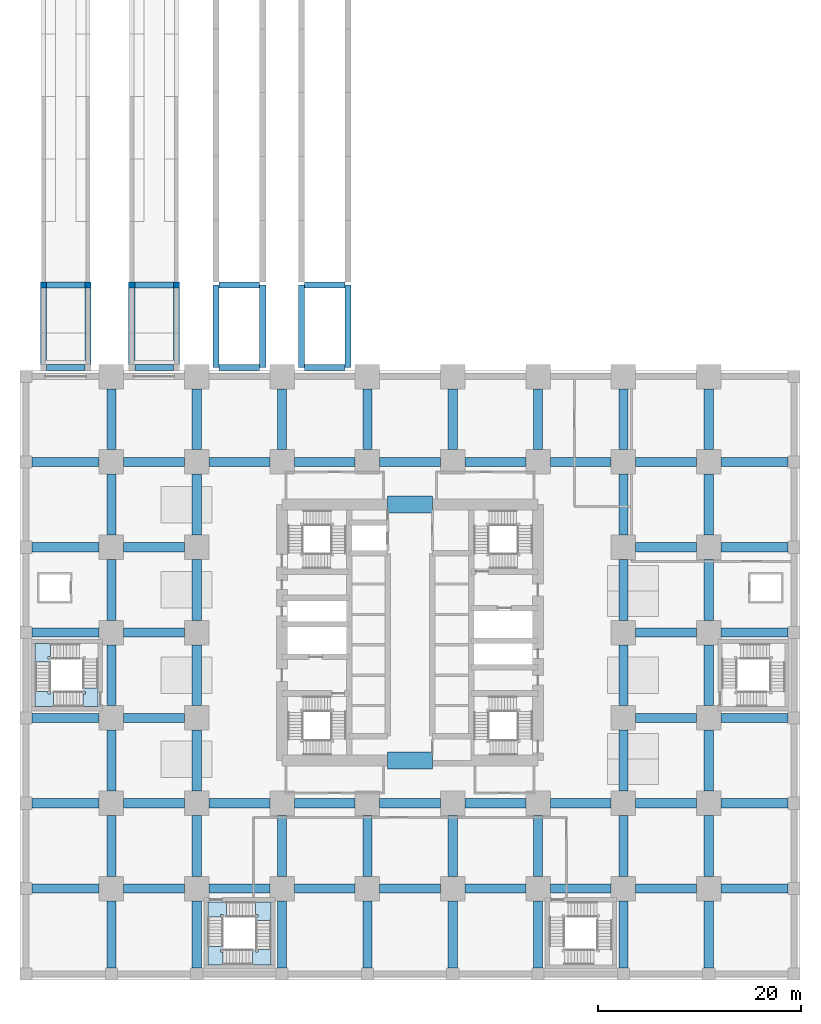
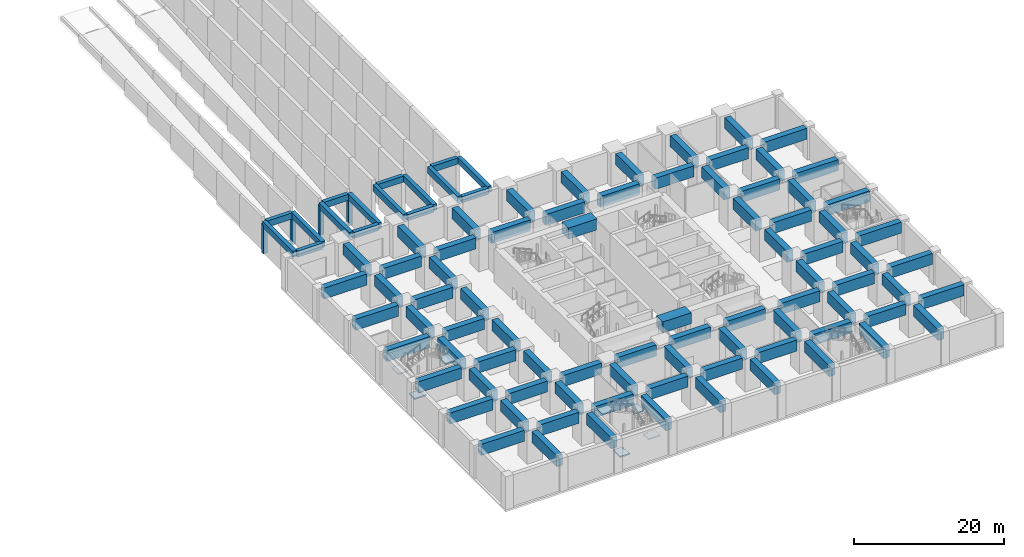
# One storey, part 4 of 20: 97 beams, 7 slabs, 4 columns, 2 elements without a shape of their own.
"""IFC4 building model written with IfcOpenShell, lengths in metres."""

from ifc_helpers import new_model, si_unit, direction, frame, origin, origin_2d, place, context, subcontext, project, spatial, polyline, rectangle, outline, extrude, material, layer, layer_set, material_profile, profile_set, type_object, element, aggregate, save


model = new_model("IFC4")

# Units and contexts
model_context = context("Model", 3, precision=1e-05, world=origin(), true_north=direction((0.0, 1.0)))
body_context = subcontext(model_context, "Body", "Model", "MODEL_VIEW")
ifc_project = project(units=[si_unit("LENGTHUNIT", "METRE"), si_unit("AREAUNIT", "SQUARE_METRE"), si_unit("VOLUMEUNIT", "CUBIC_METRE"), si_unit("PLANEANGLEUNIT", "RADIAN"), si_unit("MASSUNIT", "GRAM", prefix="KILO")], contexts=[model_context])

# Site, building, storey
site_placement = place(None, origin())
site = spatial("IfcSite", under=ifc_project, at=site_placement, CompositionType="ELEMENT")
building_placement = place(site_placement, origin())
building = spatial("IfcBuilding", under=site, at=building_placement, Name="Rekha Terrace Tower", CompositionType="ELEMENT")
storey_placement = place(building_placement, frame((0.0, 0.0, -5.39990234375)))
storey = spatial("IfcBuildingStorey", under=building, at=storey_placement, Name="B-01", CompositionType="ELEMENT", Elevation=-5.39990234375)

# Columns
ifc_material_1 = material(Name="Concrete M40", Category="concrete")
ifc_material_profile_1 = material_profile(ifc_material_1, rectangle(XDim=0.60009765625, YDim=0.60009765625, at=origin_2d()), Name="RC 600x600")
ifc_profile_set_1 = profile_set([ifc_material_profile_1], Name="Concrete M40")
column_type = type_object("IfcColumnType", Name="DP1 600x600 bridge pier", PredefinedType="COLUMN", material=ifc_profile_set_1)
for number, where, z_axis, x_axis, name in (
    (1, (1.699951171875, 67.800048828125, -0.300048828125), (0.0, 0.0, 1.0), (1.0, 0.0, 0.0), "Ramp 1 bridge pier W2"),
    (2, (6.10009765625, 67.800048828125, -0.300048828125), (0.0, 0.0, 1.0), (1.0, 0.0, 0.0), "Ramp 1 bridge pier E2"),
    (3, (10.39990234375, 67.800048828125, -0.300048828125), (0.0, 0.0, 1.0), (1.0, 0.0, 0.0), "Ramp 2 bridge pier W2"),
    (4, (14.800048828125, 67.800048828125, -0.300048828125), (0.0, 0.0, 1.0), (1.0, 0.0, 0.0), "Ramp 2 bridge pier E2"),
):
    element("IfcColumn", number, at=place(storey_placement, frame(where, z_axis=z_axis, x_axis=x_axis)), inside=storey, type_object=column_type, Name=name, PredefinedType="COLUMN", context=body_context, shape_type="SweptSolid", body=[
        extrude(rectangle(XDim=0.60009765625, YDim=0.60009765625, at=origin_2d()), origin(), (0.0, 0.0, 1.0), 4.699951171875),
    ])

# Beams
ifc_material_profile_2 = material_profile(ifc_material_1, rectangle(XDim=0.60009765625, YDim=1.0, at=origin_2d()), Name="RC 600x1000")
ifc_profile_set_2 = profile_set([ifc_material_profile_2], Name="Concrete M40")
beam_type_1 = type_object("IfcBeamType", Name="DB1 600x1000 bridge beam", PredefinedType="BEAM", material=ifc_profile_set_2)
for number, where, z_axis, x_axis, name in (
    (5, (1.699951171875, 59.699951171875, 4.39990234375), (0.0, 1.0, 0.0), (-1.0, 0.0, 0.0), "Ramp 1 bridge beam W"),
    (6, (6.10009765625, 59.699951171875, 4.39990234375), (0.0, 1.0, 0.0), (-1.0, 0.0, 0.0), "Ramp 1 bridge beam E"),
):
    element("IfcBeam", number, at=place(storey_placement, frame(where, z_axis=z_axis, x_axis=x_axis)), inside=storey, type_object=beam_type_1, Name=name, PredefinedType="BEAM", context=body_context, shape_type="SweptSolid", body=[
        extrude(rectangle(XDim=0.60009765625, YDim=1.0, at=origin_2d()), origin(), (0.0, 0.0, 1.0), 8.10009765625),
    ])
for number, where, z_axis, x_axis, name in (
    (7, (2.0, 59.699951171875, 4.39990234375), (1.0, 0.0, 0.0), (0.0, 1.0, 0.0), "Ramp 1 bridge end beam S"),
    (8, (2.0, 67.800048828125, 4.39990234375), (1.0, 0.0, 0.0), (0.0, 1.0, 0.0), "Ramp 1 bridge end beam N"),
):
    element("IfcBeam", number, at=place(storey_placement, frame(where, z_axis=z_axis, x_axis=x_axis)), inside=storey, type_object=beam_type_1, Name=name, PredefinedType="BEAM", context=body_context, shape_type="SweptSolid", body=[
        extrude(rectangle(XDim=0.60009765625, YDim=1.0, at=origin_2d()), origin(), (0.0, 0.0, 1.0), 3.800048828125),
    ])
for number, where, z_axis, x_axis, name in (
    (9, (10.39990234375, 59.699951171875, 4.39990234375), (0.0, 1.0, 0.0), (-1.0, 0.0, 0.0), "Ramp 2 bridge beam W"),
    (10, (14.800048828125, 59.699951171875, 4.39990234375), (0.0, 1.0, 0.0), (-1.0, 0.0, 0.0), "Ramp 2 bridge beam E"),
):
    element("IfcBeam", number, at=place(storey_placement, frame(where, z_axis=z_axis, x_axis=x_axis)), inside=storey, type_object=beam_type_1, Name=name, PredefinedType="BEAM", context=body_context, shape_type="SweptSolid", body=[
        extrude(rectangle(XDim=0.60009765625, YDim=1.0, at=origin_2d()), origin(), (0.0, 0.0, 1.0), 8.10009765625),
    ])
for number, where, z_axis, x_axis, name in (
    (11, (10.699951171875, 59.699951171875, 4.39990234375), (1.0, 0.0, 0.0), (0.0, 1.0, 0.0), "Ramp 2 bridge end beam S"),
    (12, (10.699951171875, 67.800048828125, 4.39990234375), (1.0, 0.0, 0.0), (0.0, 1.0, 0.0), "Ramp 2 bridge end beam N"),
):
    element("IfcBeam", number, at=place(storey_placement, frame(where, z_axis=z_axis, x_axis=x_axis)), inside=storey, type_object=beam_type_1, Name=name, PredefinedType="BEAM", context=body_context, shape_type="SweptSolid", body=[
        extrude(rectangle(XDim=0.60009765625, YDim=1.0, at=origin_2d()), origin(), (0.0, 0.0, 1.0), 3.800048828125),
    ])
for number, where, z_axis, x_axis, name in (
    (13, (18.699951171875, 59.699951171875, 4.39990234375), (0.0, 1.0, 0.0), (-1.0, 0.0, 0.0), "Ramp 3 bridge beam W"),
    (14, (23.300048828125, 59.699951171875, 4.39990234375), (0.0, 1.0, 0.0), (-1.0, 0.0, 0.0), "Ramp 3 bridge beam E"),
):
    element("IfcBeam", number, at=place(storey_placement, frame(where, z_axis=z_axis, x_axis=x_axis)), inside=storey, type_object=beam_type_1, Name=name, PredefinedType="BEAM", context=body_context, shape_type="SweptSolid", body=[
        extrude(rectangle(XDim=0.60009765625, YDim=1.0, at=origin_2d()), origin(), (0.0, 0.0, 1.0), 8.10009765625),
    ])
for number, where, z_axis, x_axis, name in (
    (15, (19.0, 59.699951171875, 4.39990234375), (1.0, 0.0, 0.0), (0.0, 1.0, 0.0), "Ramp 3 bridge end beam S"),
    (16, (19.0, 67.800048828125, 4.39990234375), (1.0, 0.0, 0.0), (0.0, 1.0, 0.0), "Ramp 3 bridge end beam N"),
):
    element("IfcBeam", number, at=place(storey_placement, frame(where, z_axis=z_axis, x_axis=x_axis)), inside=storey, type_object=beam_type_1, Name=name, PredefinedType="BEAM", context=body_context, shape_type="SweptSolid", body=[
        extrude(rectangle(XDim=0.60009765625, YDim=1.0, at=origin_2d()), origin(), (0.0, 0.0, 1.0), 4.0),
    ])
for number, where, z_axis, x_axis, name in (
    (17, (27.10009765625, 59.699951171875, 4.39990234375), (0.0, 1.0, 0.0), (-1.0, 0.0, 0.0), "Ramp 4 bridge beam W"),
    (18, (31.699951171875, 59.699951171875, 4.39990234375), (0.0, 1.0, 0.0), (-1.0, 0.0, 0.0), "Ramp 4 bridge beam E"),
):
    element("IfcBeam", number, at=place(storey_placement, frame(where, z_axis=z_axis, x_axis=x_axis)), inside=storey, type_object=beam_type_1, Name=name, PredefinedType="BEAM", context=body_context, shape_type="SweptSolid", body=[
        extrude(rectangle(XDim=0.60009765625, YDim=1.0, at=origin_2d()), origin(), (0.0, 0.0, 1.0), 8.10009765625),
    ])
for number, where, z_axis, x_axis, name in (
    (19, (27.39990234375, 59.699951171875, 4.39990234375), (1.0, 0.0, 0.0), (0.0, 1.0, 0.0), "Ramp 4 bridge end beam S"),
    (20, (27.39990234375, 67.800048828125, 4.39990234375), (1.0, 0.0, 0.0), (0.0, 1.0, 0.0), "Ramp 4 bridge end beam N"),
):
    element("IfcBeam", number, at=place(storey_placement, frame(where, z_axis=z_axis, x_axis=x_axis)), inside=storey, type_object=beam_type_1, Name=name, PredefinedType="BEAM", context=body_context, shape_type="SweptSolid", body=[
        extrude(rectangle(XDim=0.60009765625, YDim=1.0, at=origin_2d()), origin(), (0.0, 0.0, 1.0), 4.0),
    ])
ifc_material_2 = material(Name="Concrete M60", Category="concrete")
ifc_material_profile_3 = material_profile(ifc_material_2, rectangle(XDim=0.89990234375, YDim=1.800048828125, at=origin_2d()), Name="RC 900x1800")
ifc_profile_set_3 = profile_set([ifc_material_profile_3], Name="Concrete M60")
beam_type_2 = type_object("IfcBeamType", Name="G1 900x1800 podium floor beam", PredefinedType="BEAM", material=ifc_profile_set_3)
for number, where, z_axis, x_axis, name in (
    (21, (0.60009765625, 8.39990234375, 4.199951171875), (1.0, 0.0, 0.0), (0.0, 1.0, 0.0), "Beam G1 1B-2B under L00"),
    (22, (0.60009765625, 16.800048828125, 4.199951171875), (1.0, 0.0, 0.0), (0.0, 1.0, 0.0), "Beam G1 1C-2C under L00"),
    (23, (0.60009765625, 25.199951171875, 4.199951171875), (1.0, 0.0, 0.0), (0.0, 1.0, 0.0), "Beam G1 1D-2D under L00"),
    (24, (0.60009765625, 33.60009765625, 4.199951171875), (1.0, 0.0, 0.0), (0.0, 1.0, 0.0), "Beam G1 1E-2E under L00"),
    (25, (0.60009765625, 42.0, 4.199951171875), (1.0, 0.0, 0.0), (0.0, 1.0, 0.0), "Beam G1 1F-2F under L00"),
    (26, (0.60009765625, 50.39990234375, 4.199951171875), (1.0, 0.0, 0.0), (0.0, 1.0, 0.0), "Beam G1 1G-2G under L00"),
    (27, (8.39990234375, 0.60009765625, 4.199951171875), (0.0, 1.0, 0.0), (-1.0, 0.0, 0.0), "Beam G1 2A-2B under L00"),
):
    element("IfcBeam", number, at=place(storey_placement, frame(where, z_axis=z_axis, x_axis=x_axis)), inside=storey, type_object=beam_type_2, Name=name, PredefinedType="BEAM", context=body_context, shape_type="SweptSolid", body=[
        extrude(rectangle(XDim=0.89990234375, YDim=1.800048828125, at=origin_2d()), origin(), (0.0, 0.0, 1.0), 6.599853515625),
    ])
for number, where, z_axis, x_axis, name in (
    (28, (9.60009765625, 8.39990234375, 4.199951171875), (1.0, 0.0, 0.0), (0.0, 1.0, 0.0), "Beam G1 2B-3B under L00"),
    (29, (8.39990234375, 9.60009765625, 4.199951171875), (0.0, 1.0, 0.0), (-1.0, 0.0, 0.0), "Beam G1 2B-2C under L00"),
    (30, (9.60009765625, 16.800048828125, 4.199951171875), (1.0, 0.0, 0.0), (0.0, 1.0, 0.0), "Beam G1 2C-3C under L00"),
    (31, (8.39990234375, 18.0, 4.199951171875), (0.0, 1.0, 0.0), (-1.0, 0.0, 0.0), "Beam G1 2C-2D under L00"),
    (32, (9.60009765625, 25.199951171875, 4.199951171875), (1.0, 0.0, 0.0), (0.0, 1.0, 0.0), "Beam G1 2D-3D under L00"),
    (33, (8.39990234375, 26.39990234375, 4.199951171875), (0.0, 1.0, 0.0), (-1.0, 0.0, 0.0), "Beam G1 2D-2E under L00"),
    (34, (9.60009765625, 33.60009765625, 4.199951171875), (1.0, 0.0, 0.0), (0.0, 1.0, 0.0), "Beam G1 2E-3E under L00"),
    (35, (8.39990234375, 34.800048828125, 4.199951171875), (0.0, 1.0, 0.0), (-1.0, 0.0, 0.0), "Beam G1 2E-2F under L00"),
    (36, (9.60009765625, 42.0, 4.199951171875), (1.0, 0.0, 0.0), (0.0, 1.0, 0.0), "Beam G1 2F-3F under L00"),
    (37, (8.39990234375, 43.199951171875, 4.199951171875), (0.0, 1.0, 0.0), (-1.0, 0.0, 0.0), "Beam G1 2F-2G under L00"),
    (38, (9.60009765625, 50.39990234375, 4.199951171875), (1.0, 0.0, 0.0), (0.0, 1.0, 0.0), "Beam G1 2G-3G under L00"),
    (39, (8.39990234375, 51.60009765625, 4.199951171875), (0.0, 1.0, 0.0), (-1.0, 0.0, 0.0), "Beam G1 2G-2H under L00"),
):
    element("IfcBeam", number, at=place(storey_placement, frame(where, z_axis=z_axis, x_axis=x_axis)), inside=storey, type_object=beam_type_2, Name=name, PredefinedType="BEAM", context=body_context, shape_type="SweptSolid", body=[
        extrude(rectangle(XDim=0.89990234375, YDim=1.800048828125, at=origin_2d()), origin(), (0.0, 0.0, 1.0), 6.0),
    ])
beam_1_placement = place(storey_placement, frame((16.800048828125, 0.60009765625, 4.199951171875), z_axis=(0.0, 1.0, 0.0), x_axis=(-1.0, 0.0, 0.0)))
element("IfcBeam", 40, at=beam_1_placement, inside=storey, type_object=beam_type_2, Name="Beam G1 3A-3B under L00", PredefinedType="BEAM", context=body_context, shape_type="SweptSolid", body=[
    extrude(rectangle(XDim=0.89990234375, YDim=1.800048828125, at=origin_2d()), origin(), (0.0, 0.0, 1.0), 6.599853515625),
])
for number, where, z_axis, x_axis, name in (
    (41, (18.0, 8.39990234375, 4.199951171875), (1.0, 0.0, 0.0), (0.0, 1.0, 0.0), "Beam G1 3B-4B under L00"),
    (42, (16.800048828125, 9.60009765625, 4.199951171875), (0.0, 1.0, 0.0), (-1.0, 0.0, 0.0), "Beam G1 3B-3C under L00"),
    (43, (18.0, 16.800048828125, 4.199951171875), (1.0, 0.0, 0.0), (0.0, 1.0, 0.0), "Beam G1 3C-4C under L00"),
    (44, (16.800048828125, 18.0, 4.199951171875), (0.0, 1.0, 0.0), (-1.0, 0.0, 0.0), "Beam G1 3C-3D under L00"),
    (45, (16.800048828125, 26.39990234375, 4.199951171875), (0.0, 1.0, 0.0), (-1.0, 0.0, 0.0), "Beam G1 3D-3E under L00"),
    (46, (16.800048828125, 34.800048828125, 4.199951171875), (0.0, 1.0, 0.0), (-1.0, 0.0, 0.0), "Beam G1 3E-3F under L00"),
    (47, (16.800048828125, 43.199951171875, 4.199951171875), (0.0, 1.0, 0.0), (-1.0, 0.0, 0.0), "Beam G1 3F-3G under L00"),
    (48, (18.0, 50.39990234375, 4.199951171875), (1.0, 0.0, 0.0), (0.0, 1.0, 0.0), "Beam G1 3G-4G under L00"),
    (49, (16.800048828125, 51.60009765625, 4.199951171875), (0.0, 1.0, 0.0), (-1.0, 0.0, 0.0), "Beam G1 3G-3H under L00"),
):
    element("IfcBeam", number, at=place(storey_placement, frame(where, z_axis=z_axis, x_axis=x_axis)), inside=storey, type_object=beam_type_2, Name=name, PredefinedType="BEAM", context=body_context, shape_type="SweptSolid", body=[
        extrude(rectangle(XDim=0.89990234375, YDim=1.800048828125, at=origin_2d()), origin(), (0.0, 0.0, 1.0), 6.0),
    ])
beam_2_placement = place(storey_placement, frame((25.199951171875, 0.60009765625, 4.199951171875), z_axis=(0.0, 1.0, 0.0), x_axis=(-1.0, 0.0, 0.0)))
element("IfcBeam", 50, at=beam_2_placement, inside=storey, type_object=beam_type_2, Name="Beam G1 4A-4B under L00", PredefinedType="BEAM", context=body_context, shape_type="SweptSolid", body=[
    extrude(rectangle(XDim=0.89990234375, YDim=1.800048828125, at=origin_2d()), origin(), (0.0, 0.0, 1.0), 6.599853515625),
])
for number, where, z_axis, x_axis, name in (
    (51, (26.39990234375, 8.39990234375, 4.199951171875), (1.0, 0.0, 0.0), (0.0, 1.0, 0.0), "Beam G1 4B-5B under L00"),
    (52, (25.199951171875, 9.60009765625, 4.199951171875), (0.0, 1.0, 0.0), (-1.0, 0.0, 0.0), "Beam G1 4B-4C under L00"),
    (53, (26.39990234375, 16.800048828125, 4.199951171875), (1.0, 0.0, 0.0), (0.0, 1.0, 0.0), "Beam G1 4C-5C under L00"),
    (54, (26.39990234375, 50.39990234375, 4.199951171875), (1.0, 0.0, 0.0), (0.0, 1.0, 0.0), "Beam G1 4G-5G under L00"),
    (55, (25.199951171875, 51.60009765625, 4.199951171875), (0.0, 1.0, 0.0), (-1.0, 0.0, 0.0), "Beam G1 4G-4H under L00"),
):
    element("IfcBeam", number, at=place(storey_placement, frame(where, z_axis=z_axis, x_axis=x_axis)), inside=storey, type_object=beam_type_2, Name=name, PredefinedType="BEAM", context=body_context, shape_type="SweptSolid", body=[
        extrude(rectangle(XDim=0.89990234375, YDim=1.800048828125, at=origin_2d()), origin(), (0.0, 0.0, 1.0), 6.0),
    ])
beam_3_placement = place(storey_placement, frame((33.60009765625, 0.60009765625, 4.199951171875), z_axis=(0.0, 1.0, 0.0), x_axis=(-1.0, 0.0, 0.0)))
element("IfcBeam", 56, at=beam_3_placement, inside=storey, type_object=beam_type_2, Name="Beam G1 5A-5B under L00", PredefinedType="BEAM", context=body_context, shape_type="SweptSolid", body=[
    extrude(rectangle(XDim=0.89990234375, YDim=1.800048828125, at=origin_2d()), origin(), (0.0, 0.0, 1.0), 6.599853515625),
])
for number, where, z_axis, x_axis, name in (
    (57, (34.800048828125, 8.39990234375, 4.199951171875), (1.0, 0.0, 0.0), (0.0, 1.0, 0.0), "Beam G1 5B-6B under L00"),
    (58, (33.60009765625, 9.60009765625, 4.199951171875), (0.0, 1.0, 0.0), (-1.0, 0.0, 0.0), "Beam G1 5B-5C under L00"),
    (59, (34.800048828125, 16.800048828125, 4.199951171875), (1.0, 0.0, 0.0), (0.0, 1.0, 0.0), "Beam G1 5C-6C under L00"),
    (60, (34.800048828125, 50.39990234375, 4.199951171875), (1.0, 0.0, 0.0), (0.0, 1.0, 0.0), "Beam G1 5G-6G under L00"),
    (61, (33.60009765625, 51.60009765625, 4.199951171875), (0.0, 1.0, 0.0), (-1.0, 0.0, 0.0), "Beam G1 5G-5H under L00"),
):
    element("IfcBeam", number, at=place(storey_placement, frame(where, z_axis=z_axis, x_axis=x_axis)), inside=storey, type_object=beam_type_2, Name=name, PredefinedType="BEAM", context=body_context, shape_type="SweptSolid", body=[
        extrude(rectangle(XDim=0.89990234375, YDim=1.800048828125, at=origin_2d()), origin(), (0.0, 0.0, 1.0), 6.0),
    ])
beam_4_placement = place(storey_placement, frame((42.0, 0.60009765625, 4.199951171875), z_axis=(0.0, 1.0, 0.0), x_axis=(-1.0, 0.0, 0.0)))
element("IfcBeam", 62, at=beam_4_placement, inside=storey, type_object=beam_type_2, Name="Beam G1 6A-6B under L00", PredefinedType="BEAM", context=body_context, shape_type="SweptSolid", body=[
    extrude(rectangle(XDim=0.89990234375, YDim=1.800048828125, at=origin_2d()), origin(), (0.0, 0.0, 1.0), 6.599853515625),
])
for number, where, z_axis, x_axis, name in (
    (63, (43.199951171875, 8.39990234375, 4.199951171875), (1.0, 0.0, 0.0), (0.0, 1.0, 0.0), "Beam G1 6B-7B under L00"),
    (64, (42.0, 9.60009765625, 4.199951171875), (0.0, 1.0, 0.0), (-1.0, 0.0, 0.0), "Beam G1 6B-6C under L00"),
    (65, (43.199951171875, 16.800048828125, 4.199951171875), (1.0, 0.0, 0.0), (0.0, 1.0, 0.0), "Beam G1 6C-7C under L00"),
    (66, (43.199951171875, 50.39990234375, 4.199951171875), (1.0, 0.0, 0.0), (0.0, 1.0, 0.0), "Beam G1 6G-7G under L00"),
    (67, (42.0, 51.60009765625, 4.199951171875), (0.0, 1.0, 0.0), (-1.0, 0.0, 0.0), "Beam G1 6G-6H under L00"),
):
    element("IfcBeam", number, at=place(storey_placement, frame(where, z_axis=z_axis, x_axis=x_axis)), inside=storey, type_object=beam_type_2, Name=name, PredefinedType="BEAM", context=body_context, shape_type="SweptSolid", body=[
        extrude(rectangle(XDim=0.89990234375, YDim=1.800048828125, at=origin_2d()), origin(), (0.0, 0.0, 1.0), 6.0),
    ])
beam_5_placement = place(storey_placement, frame((50.39990234375, 0.60009765625, 4.199951171875), z_axis=(0.0, 1.0, 0.0), x_axis=(-1.0, 0.0, 0.0)))
element("IfcBeam", 68, at=beam_5_placement, inside=storey, type_object=beam_type_2, Name="Beam G1 7A-7B under L00", PredefinedType="BEAM", context=body_context, shape_type="SweptSolid", body=[
    extrude(rectangle(XDim=0.89990234375, YDim=1.800048828125, at=origin_2d()), origin(), (0.0, 0.0, 1.0), 6.599853515625),
])
for number, where, z_axis, x_axis, name in (
    (69, (51.60009765625, 8.39990234375, 4.199951171875), (1.0, 0.0, 0.0), (0.0, 1.0, 0.0), "Beam G1 7B-8B under L00"),
    (70, (50.39990234375, 9.60009765625, 4.199951171875), (0.0, 1.0, 0.0), (-1.0, 0.0, 0.0), "Beam G1 7B-7C under L00"),
    (71, (51.60009765625, 16.800048828125, 4.199951171875), (1.0, 0.0, 0.0), (0.0, 1.0, 0.0), "Beam G1 7C-8C under L00"),
    (72, (51.60009765625, 50.39990234375, 4.199951171875), (1.0, 0.0, 0.0), (0.0, 1.0, 0.0), "Beam G1 7G-8G under L00"),
    (73, (50.39990234375, 51.60009765625, 4.199951171875), (0.0, 1.0, 0.0), (-1.0, 0.0, 0.0), "Beam G1 7G-7H under L00"),
):
    element("IfcBeam", number, at=place(storey_placement, frame(where, z_axis=z_axis, x_axis=x_axis)), inside=storey, type_object=beam_type_2, Name=name, PredefinedType="BEAM", context=body_context, shape_type="SweptSolid", body=[
        extrude(rectangle(XDim=0.89990234375, YDim=1.800048828125, at=origin_2d()), origin(), (0.0, 0.0, 1.0), 6.0),
    ])
beam_6_placement = place(storey_placement, frame((58.800048828125, 0.60009765625, 4.199951171875), z_axis=(0.0, 1.0, 0.0), x_axis=(-1.0, 0.0, 0.0)))
element("IfcBeam", 74, at=beam_6_placement, inside=storey, type_object=beam_type_2, Name="Beam G1 8A-8B under L00", PredefinedType="BEAM", context=body_context, shape_type="SweptSolid", body=[
    extrude(rectangle(XDim=0.89990234375, YDim=1.800048828125, at=origin_2d()), origin(), (0.0, 0.0, 1.0), 6.599853515625),
])
for number, where, z_axis, x_axis, name in (
    (75, (60.0, 8.39990234375, 4.199951171875), (1.0, 0.0, 0.0), (0.0, 1.0, 0.0), "Beam G1 8B-9B under L00"),
    (76, (58.800048828125, 9.60009765625, 4.199951171875), (0.0, 1.0, 0.0), (-1.0, 0.0, 0.0), "Beam G1 8B-8C under L00"),
    (77, (60.0, 16.800048828125, 4.199951171875), (1.0, 0.0, 0.0), (0.0, 1.0, 0.0), "Beam G1 8C-9C under L00"),
    (78, (58.800048828125, 18.0, 4.199951171875), (0.0, 1.0, 0.0), (-1.0, 0.0, 0.0), "Beam G1 8C-8D under L00"),
    (79, (60.0, 25.199951171875, 4.199951171875), (1.0, 0.0, 0.0), (0.0, 1.0, 0.0), "Beam G1 8D-9D under L00"),
    (80, (58.800048828125, 26.39990234375, 4.199951171875), (0.0, 1.0, 0.0), (-1.0, 0.0, 0.0), "Beam G1 8D-8E under L00"),
    (81, (60.0, 33.60009765625, 4.199951171875), (1.0, 0.0, 0.0), (0.0, 1.0, 0.0), "Beam G1 8E-9E under L00"),
    (82, (58.800048828125, 34.800048828125, 4.199951171875), (0.0, 1.0, 0.0), (-1.0, 0.0, 0.0), "Beam G1 8E-8F under L00"),
    (83, (60.0, 42.0, 4.199951171875), (1.0, 0.0, 0.0), (0.0, 1.0, 0.0), "Beam G1 8F-9F under L00"),
    (84, (58.800048828125, 43.199951171875, 4.199951171875), (0.0, 1.0, 0.0), (-1.0, 0.0, 0.0), "Beam G1 8F-8G under L00"),
    (85, (60.0, 50.39990234375, 4.199951171875), (1.0, 0.0, 0.0), (0.0, 1.0, 0.0), "Beam G1 8G-9G under L00"),
    (86, (58.800048828125, 51.60009765625, 4.199951171875), (0.0, 1.0, 0.0), (-1.0, 0.0, 0.0), "Beam G1 8G-8H under L00"),
):
    element("IfcBeam", number, at=place(storey_placement, frame(where, z_axis=z_axis, x_axis=x_axis)), inside=storey, type_object=beam_type_2, Name=name, PredefinedType="BEAM", context=body_context, shape_type="SweptSolid", body=[
        extrude(rectangle(XDim=0.89990234375, YDim=1.800048828125, at=origin_2d()), origin(), (0.0, 0.0, 1.0), 6.0),
    ])
beam_7_placement = place(storey_placement, frame((67.199951171875, 0.60009765625, 4.199951171875), z_axis=(0.0, 1.0, 0.0), x_axis=(-1.0, 0.0, 0.0)))
element("IfcBeam", 87, at=beam_7_placement, inside=storey, type_object=beam_type_2, Name="Beam G1 9A-9B under L00", PredefinedType="BEAM", context=body_context, shape_type="SweptSolid", body=[
    extrude(rectangle(XDim=0.89990234375, YDim=1.800048828125, at=origin_2d()), origin(), (0.0, 0.0, 1.0), 6.599853515625),
])
beam_8_placement = place(storey_placement, frame((68.39990234375, 8.39990234375, 4.199951171875), z_axis=(1.0, 0.0, 0.0), x_axis=(0.0, 1.0, 0.0)))
element("IfcBeam", 88, at=beam_8_placement, inside=storey, type_object=beam_type_2, Name="Beam G1 9B-10B under L00", PredefinedType="BEAM", context=body_context, shape_type="SweptSolid", body=[
    extrude(rectangle(XDim=0.89990234375, YDim=1.800048828125, at=origin_2d()), origin(), (0.0, 0.0, 1.0), 6.60009765625),
])
beam_9_placement = place(storey_placement, frame((67.199951171875, 9.60009765625, 4.199951171875), z_axis=(0.0, 1.0, 0.0), x_axis=(-1.0, 0.0, 0.0)))
element("IfcBeam", 89, at=beam_9_placement, inside=storey, type_object=beam_type_2, Name="Beam G1 9B-9C under L00", PredefinedType="BEAM", context=body_context, shape_type="SweptSolid", body=[
    extrude(rectangle(XDim=0.89990234375, YDim=1.800048828125, at=origin_2d()), origin(), (0.0, 0.0, 1.0), 6.0),
])
beam_10_placement = place(storey_placement, frame((68.39990234375, 16.800048828125, 4.199951171875), z_axis=(1.0, 0.0, 0.0), x_axis=(0.0, 1.0, 0.0)))
element("IfcBeam", 90, at=beam_10_placement, inside=storey, type_object=beam_type_2, Name="Beam G1 9C-10C under L00", PredefinedType="BEAM", context=body_context, shape_type="SweptSolid", body=[
    extrude(rectangle(XDim=0.89990234375, YDim=1.800048828125, at=origin_2d()), origin(), (0.0, 0.0, 1.0), 6.60009765625),
])
beam_11_placement = place(storey_placement, frame((67.199951171875, 18.0, 4.199951171875), z_axis=(0.0, 1.0, 0.0), x_axis=(-1.0, 0.0, 0.0)))
element("IfcBeam", 91, at=beam_11_placement, inside=storey, type_object=beam_type_2, Name="Beam G1 9C-9D under L00", PredefinedType="BEAM", context=body_context, shape_type="SweptSolid", body=[
    extrude(rectangle(XDim=0.89990234375, YDim=1.800048828125, at=origin_2d()), origin(), (0.0, 0.0, 1.0), 6.0),
])
beam_12_placement = place(storey_placement, frame((68.39990234375, 25.199951171875, 4.199951171875), z_axis=(1.0, 0.0, 0.0), x_axis=(0.0, 1.0, 0.0)))
element("IfcBeam", 92, at=beam_12_placement, inside=storey, type_object=beam_type_2, Name="Beam G1 9D-10D under L00", PredefinedType="BEAM", context=body_context, shape_type="SweptSolid", body=[
    extrude(rectangle(XDim=0.89990234375, YDim=1.800048828125, at=origin_2d()), origin(), (0.0, 0.0, 1.0), 6.60009765625),
])
beam_13_placement = place(storey_placement, frame((67.199951171875, 26.39990234375, 4.199951171875), z_axis=(0.0, 1.0, 0.0), x_axis=(-1.0, 0.0, 0.0)))
element("IfcBeam", 93, at=beam_13_placement, inside=storey, type_object=beam_type_2, Name="Beam G1 9D-9E under L00", PredefinedType="BEAM", context=body_context, shape_type="SweptSolid", body=[
    extrude(rectangle(XDim=0.89990234375, YDim=1.800048828125, at=origin_2d()), origin(), (0.0, 0.0, 1.0), 6.0),
])
beam_14_placement = place(storey_placement, frame((68.39990234375, 33.60009765625, 4.199951171875), z_axis=(1.0, 0.0, 0.0), x_axis=(0.0, 1.0, 0.0)))
element("IfcBeam", 94, at=beam_14_placement, inside=storey, type_object=beam_type_2, Name="Beam G1 9E-10E under L00", PredefinedType="BEAM", context=body_context, shape_type="SweptSolid", body=[
    extrude(rectangle(XDim=0.89990234375, YDim=1.800048828125, at=origin_2d()), origin(), (0.0, 0.0, 1.0), 6.60009765625),
])
beam_15_placement = place(storey_placement, frame((67.199951171875, 34.800048828125, 4.199951171875), z_axis=(0.0, 1.0, 0.0), x_axis=(-1.0, 0.0, 0.0)))
element("IfcBeam", 95, at=beam_15_placement, inside=storey, type_object=beam_type_2, Name="Beam G1 9E-9F under L00", PredefinedType="BEAM", context=body_context, shape_type="SweptSolid", body=[
    extrude(rectangle(XDim=0.89990234375, YDim=1.800048828125, at=origin_2d()), origin(), (0.0, 0.0, 1.0), 6.0),
])
beam_16_placement = place(storey_placement, frame((68.39990234375, 42.0, 4.199951171875), z_axis=(1.0, 0.0, 0.0), x_axis=(0.0, 1.0, 0.0)))
element("IfcBeam", 96, at=beam_16_placement, inside=storey, type_object=beam_type_2, Name="Beam G1 9F-10F under L00", PredefinedType="BEAM", context=body_context, shape_type="SweptSolid", body=[
    extrude(rectangle(XDim=0.89990234375, YDim=1.800048828125, at=origin_2d()), origin(), (0.0, 0.0, 1.0), 6.60009765625),
])
beam_17_placement = place(storey_placement, frame((67.199951171875, 43.199951171875, 4.199951171875), z_axis=(0.0, 1.0, 0.0), x_axis=(-1.0, 0.0, 0.0)))
element("IfcBeam", 97, at=beam_17_placement, inside=storey, type_object=beam_type_2, Name="Beam G1 9F-9G under L00", PredefinedType="BEAM", context=body_context, shape_type="SweptSolid", body=[
    extrude(rectangle(XDim=0.89990234375, YDim=1.800048828125, at=origin_2d()), origin(), (0.0, 0.0, 1.0), 6.0),
])
beam_18_placement = place(storey_placement, frame((68.39990234375, 50.39990234375, 4.199951171875), z_axis=(1.0, 0.0, 0.0), x_axis=(0.0, 1.0, 0.0)))
element("IfcBeam", 98, at=beam_18_placement, inside=storey, type_object=beam_type_2, Name="Beam G1 9G-10G under L00", PredefinedType="BEAM", context=body_context, shape_type="SweptSolid", body=[
    extrude(rectangle(XDim=0.89990234375, YDim=1.800048828125, at=origin_2d()), origin(), (0.0, 0.0, 1.0), 6.60009765625),
])
beam_19_placement = place(storey_placement, frame((67.199951171875, 51.60009765625, 4.199951171875), z_axis=(0.0, 1.0, 0.0), x_axis=(-1.0, 0.0, 0.0)))
element("IfcBeam", 99, at=beam_19_placement, inside=storey, type_object=beam_type_2, Name="Beam G1 9G-9H under L00", PredefinedType="BEAM", context=body_context, shape_type="SweptSolid", body=[
    extrude(rectangle(XDim=0.89990234375, YDim=1.800048828125, at=origin_2d()), origin(), (0.0, 0.0, 1.0), 6.0),
])
ifc_material_3 = material(Name="Concrete M70", Category="concrete")
ifc_material_profile_4 = material_profile(ifc_material_3, rectangle(XDim=1.699951171875, YDim=1.800048828125, at=origin_2d()), Name="RC 1700x1800")
ifc_profile_set_4 = profile_set([ifc_material_profile_4], Name="Concrete M70")
beam_type_3 = type_object("IfcBeamType", Name="LB1B 1700x1800 diagonally reinforced coupling beam", PredefinedType="LINTEL", material=ifc_profile_set_4)
for number, where, z_axis, x_axis, name in (
    (100, (35.60009765625, 21.0, 4.5), (1.0, 0.0, 0.0), (0.0, 1.0, 0.0), "Coupling beam LB1B S B-01"),
    (101, (35.60009765625, 46.199951171875, 4.5), (1.0, 0.0, 0.0), (0.0, 1.0, 0.0), "Coupling beam LB1B N B-01"),
):
    element("IfcBeam", number, at=place(storey_placement, frame(where, z_axis=z_axis, x_axis=x_axis)), inside=storey, type_object=beam_type_3, Name=name, PredefinedType="LINTEL", context=body_context, shape_type="SweptSolid", body=[
        extrude(rectangle(XDim=1.699951171875, YDim=1.800048828125, at=origin_2d()), origin(), (0.0, 0.0, 1.0), 4.39990234375),
    ])

# Stair, slabs
stair_type = type_object("IfcStairType", Name="ST40 stair, 40 risers of 135, going 320, 1500 wide flights, 4 flights", PredefinedType="QUARTER_TURN_STAIR", material=ifc_material_1)
stair_1_placement = place(storey_placement, origin())
stair_1 = element("IfcStair", 102, at=stair_1_placement, inside=storey, type_object=stair_type, Name="Stair SP1 B-01 to L00", PredefinedType="QUARTER_TURN_STAIR")
ifc_layer = layer(ifc_material_1, 0.199951171875)
ifc_layer_set = layer_set([ifc_layer], Name="Concrete M40")
slab_type = type_object("IfcSlabType", Name="LD1 200 concrete stair landing", PredefinedType="LANDING", material=ifc_layer_set)
slab_1_placement = place(storey_placement, frame((0.0, 0.0, 1.14990234375)))
slab_1 = element("IfcSlab", 103, at=slab_1_placement, type_object=slab_type, Name="SP1 landing 1", PredefinedType="LANDING", context=body_context, shape_type="SweptSolid", body=[
    extrude(outline(polyline([(0.89990234375, 27.800048828125), (0.89990234375, 26.300048828125), (2.719970703125, 26.300048828125), (2.719970703125, 27.800048828125), (2.39990234375, 27.800048828125), (2.39990234375, 27.550048828125), (2.14990234375, 27.550048828125), (2.14990234375, 27.800048828125), (0.89990234375, 27.800048828125)])), origin(), (0.0, 0.0, 1.0), 0.199951171875),
])
slab_2_placement = place(storey_placement, frame((0.0, 0.0, 2.5)))
slab_2 = element("IfcSlab", 104, at=slab_2_placement, type_object=slab_type, Name="SP1 landing 2", PredefinedType="LANDING", context=body_context, shape_type="SweptSolid", body=[
    extrude(outline(polyline([(2.39990234375, 32.5), (0.89990234375, 32.5), (0.89990234375, 30.679931640625), (2.39990234375, 30.679931640625), (2.39990234375, 31.0), (2.14990234375, 31.0), (2.14990234375, 31.25), (2.39990234375, 31.25), (2.39990234375, 32.5)])), origin(), (0.0, 0.0, 1.0), 0.199951171875),
])
slab_3_placement = place(storey_placement, frame((0.0, 0.0, 5.199951171875)))
slab_3 = element("IfcSlab", 105, at=slab_3_placement, type_object=slab_type, Name="SP1 landing 4", PredefinedType="LANDING", context=body_context, shape_type="SweptSolid", body=[
    extrude(outline(polyline([(5.60009765625, 26.300048828125), (7.10009765625, 26.300048828125), (7.10009765625, 28.1201171875), (5.60009765625, 28.1201171875), (5.60009765625, 27.800048828125), (5.85009765625, 27.800048828125), (5.85009765625, 27.550048828125), (5.60009765625, 27.550048828125), (5.60009765625, 26.300048828125)])), origin(), (0.0, 0.0, 1.0), 0.199951171875),
])
aggregate(stair_1, [slab_1, slab_2, slab_3])

stair_2_placement = place(storey_placement, origin())
stair_2 = element("IfcStair", 106, at=stair_2_placement, inside=storey, type_object=stair_type, Name="Stair SP3 B-01 to L00", PredefinedType="QUARTER_TURN_STAIR")
slab_4_placement = place(storey_placement, frame((0.0, 0.0, 1.14990234375)))
slab_4 = element("IfcSlab", 107, at=slab_4_placement, type_object=slab_type, Name="SP3 landing 1", PredefinedType="LANDING", context=body_context, shape_type="SweptSolid", body=[
    extrude(outline(polyline([(19.39990234375, 0.89990234375), (17.89990234375, 0.89990234375), (17.89990234375, 2.719970703125), (19.39990234375, 2.719970703125), (19.39990234375, 2.39990234375), (19.14990234375, 2.39990234375), (19.14990234375, 2.14990234375), (19.39990234375, 2.14990234375), (19.39990234375, 0.89990234375)])), origin(), (0.0, 0.0, 1.0), 0.199951171875),
])
slab_5_placement = place(storey_placement, frame((0.0, 0.0, 2.5)))
slab_5 = element("IfcSlab", 108, at=slab_5_placement, type_object=slab_type, Name="SP3 landing 2", PredefinedType="LANDING", context=body_context, shape_type="SweptSolid", body=[
    extrude(outline(polyline([(24.10009765625, 2.39990234375), (24.10009765625, 0.89990234375), (22.280029296875, 0.89990234375), (22.280029296875, 2.39990234375), (22.60009765625, 2.39990234375), (22.60009765625, 2.14990234375), (22.85009765625, 2.14990234375), (22.85009765625, 2.39990234375), (24.10009765625, 2.39990234375)])), origin(), (0.0, 0.0, 1.0), 0.199951171875),
])
slab_6_placement = place(storey_placement, frame((0.0, 0.0, 3.849853515625)))
slab_6 = element("IfcSlab", 109, at=slab_6_placement, type_object=slab_type, Name="SP3 landing 3", PredefinedType="LANDING", context=body_context, shape_type="SweptSolid", body=[
    extrude(outline(polyline([(22.60009765625, 7.10009765625), (24.10009765625, 7.10009765625), (24.10009765625, 5.280029296875), (22.60009765625, 5.280029296875), (22.60009765625, 5.60009765625), (22.85009765625, 5.60009765625), (22.85009765625, 5.85009765625), (22.60009765625, 5.85009765625), (22.60009765625, 7.10009765625)])), origin(), (0.0, 0.0, 1.0), 0.199951171875),
])
slab_7_placement = place(storey_placement, frame((0.0, 0.0, 5.199951171875)))
slab_7 = element("IfcSlab", 110, at=slab_7_placement, type_object=slab_type, Name="SP3 landing 4", PredefinedType="LANDING", context=body_context, shape_type="SweptSolid", body=[
    extrude(outline(polyline([(17.89990234375, 5.60009765625), (17.89990234375, 7.10009765625), (19.719970703125, 7.10009765625), (19.719970703125, 5.60009765625), (19.39990234375, 5.60009765625), (19.39990234375, 5.85009765625), (19.14990234375, 5.85009765625), (19.14990234375, 5.60009765625), (17.89990234375, 5.60009765625)])), origin(), (0.0, 0.0, 1.0), 0.199951171875),
])
aggregate(stair_2, [slab_4, slab_5, slab_6, slab_7])

save(model, "model.ifc")
